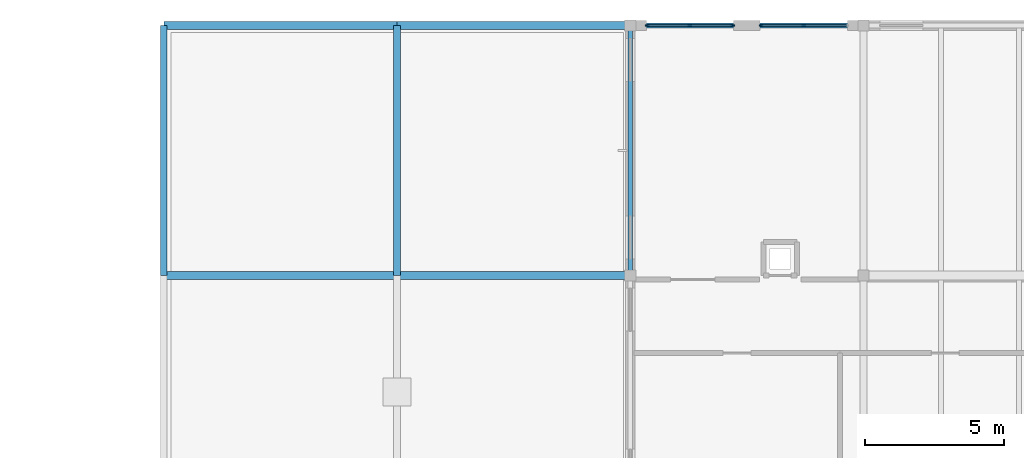
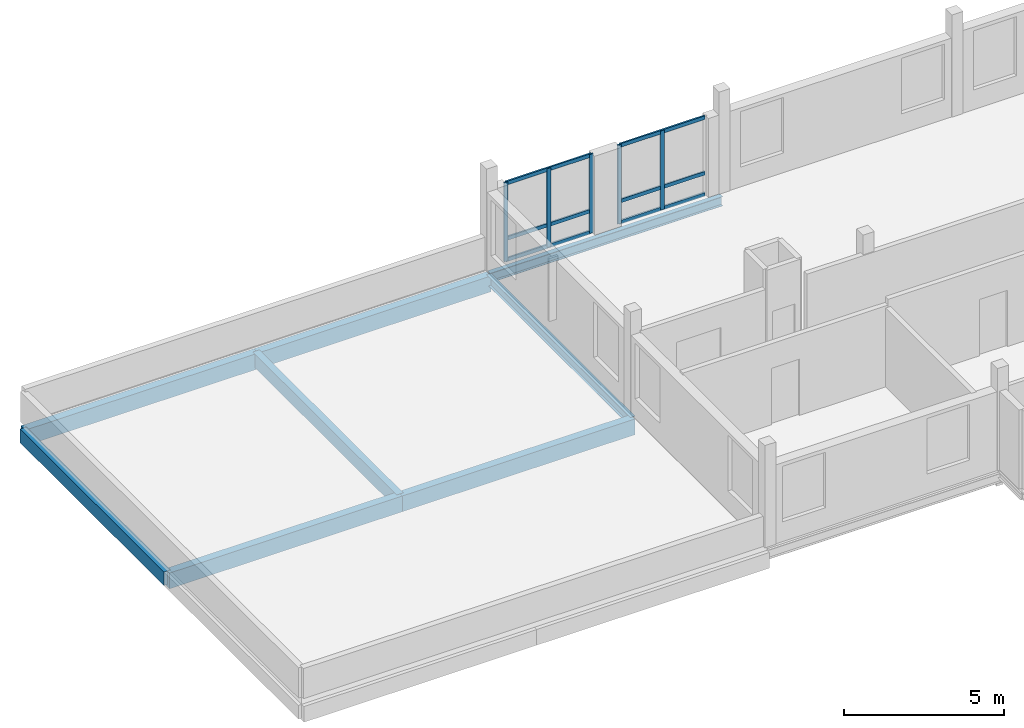
# One storey, part 17 of 57: 11 members, 8 beams, 2 elements without a shape of their own.
"""IFC4 building model written with IfcOpenShell, lengths in metres."""

from ifc_helpers import new_model, si_unit, direction, frame, origin, origin_2d, place, context, subcontext, project, spatial, rectangle, i_section, extrude, material, material_profile, profile_set, type_object, element, aggregate, save


model = new_model("IFC4")

# Units and contexts
model_context = context("Model", 3, precision=1e-05, world=origin(), true_north=direction((0.0, 1.0)))
body_context = subcontext(model_context, "Body", "Model", "MODEL_VIEW")
ifc_project = project(units=[si_unit("LENGTHUNIT", "METRE"), si_unit("AREAUNIT", "SQUARE_METRE"), si_unit("VOLUMEUNIT", "CUBIC_METRE"), si_unit("PLANEANGLEUNIT", "RADIAN"), si_unit("MASSUNIT", "GRAM", prefix="KILO")], contexts=[model_context])

# Site, building, storey
site_placement = place(None, origin())
site = spatial("IfcSite", under=ifc_project, at=site_placement, CompositionType="ELEMENT")
building_placement = place(site_placement, origin())
building = spatial("IfcBuilding", under=site, at=building_placement, Name="Kahlenmark Community Centre", CompositionType="ELEMENT")
storey_placement = place(building_placement, frame((0.0, 0.0, 13.800048828125)))
storey = spatial("IfcBuildingStorey", under=building, at=storey_placement, Name="L03", CompositionType="ELEMENT", Elevation=13.800048828125)

# Beams
ifc_material_1 = material(Name="Glulam GL32h", Category="wood")
ifc_material_profile_1 = material_profile(ifc_material_1, rectangle(XDim=0.239990234375, YDim=0.52001953125, at=origin_2d()), Name="GL32h 240x520")
ifc_profile_set_1 = profile_set([ifc_material_profile_1], Name="Glulam GL32h")
beam_type_1 = type_object("IfcBeamType", Name="BT-BEAM-GL32h240x520", PredefinedType="BEAM", material=ifc_profile_set_1)
for number, where, z_axis, x_axis, name in (
    (1, (12.39990234375, 106.0, -0.5400390625), (0.0, 1.0, 0.0), (-1.0, 0.0, 0.0), "L03 beam BG-RF520"),
    (2, (20.800048828125, 106.0, -0.5400390625), (0.0, 1.0, 0.0), (-1.0, 0.0, 0.0), "L03 beam BG-RF520"),
):
    element("IfcBeam", number, at=place(storey_placement, frame(where, z_axis=z_axis, x_axis=x_axis)), inside=storey, type_object=beam_type_1, Name=name, PredefinedType="BEAM", context=body_context, shape_type="SweptSolid", body=[
        extrude(rectangle(XDim=0.239990234375, YDim=0.52001953125, at=origin_2d()), origin(), (0.0, 0.0, 1.0), 9.0),
    ])
ifc_material_profile_2 = material_profile(ifc_material_1, rectangle(XDim=0.280029296875, YDim=0.60009765625, at=origin_2d()), Name="GL32h 280x600")
ifc_profile_set_2 = profile_set([ifc_material_profile_2], Name="Glulam GL32h")
beam_type_2 = type_object("IfcBeamType", Name="BT-BEAM-GL32h280x600", PredefinedType="BEAM", material=ifc_profile_set_2)
beam_1_placement = place(storey_placement, frame((12.39990234375, 106.0, -0.580078125), z_axis=(1.0, 0.0, 0.0), x_axis=(0.0, 1.0, 0.0)))
element("IfcBeam", 3, at=beam_1_placement, inside=storey, type_object=beam_type_2, Name="L03 beam BG-RF600", PredefinedType="BEAM", context=body_context, shape_type="SweptSolid", body=[
    extrude(rectangle(XDim=0.280029296875, YDim=0.60009765625, at=origin_2d()), origin(), (0.0, 0.0, 1.0), 8.400146484375),
])
beam_2_placement = place(storey_placement, frame((20.800048828125, 106.0, -0.580078125), z_axis=(1.0, 0.0, 0.0), x_axis=(0.0, 1.0, 0.0)))
element("IfcBeam", 4, at=beam_2_placement, inside=storey, type_object=beam_type_2, Name="L03 beam BG-RF600", PredefinedType="BEAM", context=body_context, shape_type="SweptSolid", body=[
    extrude(rectangle(XDim=0.280029296875, YDim=0.60009765625, at=origin_2d()), origin(), (0.0, 0.0, 1.0), 8.39990234375),
])
beam_3_placement = place(storey_placement, frame((12.39990234375, 115.0, -0.580078125), z_axis=(1.0, 0.0, 0.0), x_axis=(0.0, 1.0, 0.0)))
element("IfcBeam", 5, at=beam_3_placement, inside=storey, type_object=beam_type_2, Name="L03 beam BG-RF600", PredefinedType="BEAM", context=body_context, shape_type="SweptSolid", body=[
    extrude(rectangle(XDim=0.280029296875, YDim=0.60009765625, at=origin_2d()), origin(), (0.0, 0.0, 1.0), 8.400146484375),
])
beam_4_placement = place(storey_placement, frame((20.800048828125, 115.0, -0.580078125), z_axis=(1.0, 0.0, 0.0), x_axis=(0.0, 1.0, 0.0)))
element("IfcBeam", 6, at=beam_4_placement, inside=storey, type_object=beam_type_2, Name="L03 beam BG-RF600", PredefinedType="BEAM", context=body_context, shape_type="SweptSolid", body=[
    extrude(rectangle(XDim=0.280029296875, YDim=0.60009765625, at=origin_2d()), origin(), (0.0, 0.0, 1.0), 8.39990234375),
])
ifc_material_2 = material(Name="Steel S355", Category="steel")
ifc_material_profile_3 = material_profile(ifc_material_2, i_section(OverallWidth=0.169921875, OverallDepth=0.360107421875, WebThickness=0.008056640625, FlangeThickness=0.0126953125, at=origin_2d()), Name="IPE 360")
ifc_profile_set_3 = profile_set([ifc_material_profile_3], Name="Steel S355")
beam_type_3 = type_object("IfcBeamType", Name="BT-SPANDREL-IPE360", PredefinedType="SPANDREL", material=ifc_profile_set_3)
beam_5_placement = place(storey_placement, frame((29.199951171875, 115.0, -0.400146484375), z_axis=(1.0, 0.0, 0.0), x_axis=(0.0, 1.0, 0.0)))
element("IfcBeam", 7, at=beam_5_placement, inside=storey, type_object=beam_type_3, Name="L03 spandrel SP-IPE360", PredefinedType="SPANDREL", context=body_context, shape_type="SweptSolid", body=[
    extrude(i_section(OverallWidth=0.169921875, OverallDepth=0.360107421875, WebThickness=0.008056640625, FlangeThickness=0.0126953125, at=origin_2d()), origin(), (0.0, 0.0, 1.0), 8.400146484375),
])
beam_6_placement = place(storey_placement, frame((29.199951171875, 106.0, -0.4599609375), z_axis=(0.0, 1.0, 0.0), x_axis=(-1.0, 0.0, 0.0)))
element("IfcBeam", 8, at=beam_6_placement, inside=storey, type_object=beam_type_3, Name="L03 spandrel SP-IPE360", PredefinedType="SPANDREL", context=body_context, shape_type="SweptSolid", body=[
    extrude(i_section(OverallWidth=0.169921875, OverallDepth=0.360107421875, WebThickness=0.008056640625, FlangeThickness=0.0126953125, at=origin_2d()), origin(), (0.0, 0.0, 1.0), 9.0),
])

# Curtain wall, members
ifc_material_3 = material(Name="Anodised aluminium unitised curtain wall", Category="aluminium")
curtain_wall_type = type_object("IfcCurtainWallType", Name="CWT-UNIT-314X301", PredefinedType="USERDEFINED", material=ifc_material_3)
curtain_wall_1_placement = place(storey_placement, origin())
curtain_wall_1 = element("IfcCurtainWall", 9, at=curtain_wall_1_placement, inside=storey, type_object=curtain_wall_type, Name="Unitised curtain wall CW-119", ObjectType="UNITISED CURTAIN WALL", PredefinedType="USERDEFINED")
ifc_material_4 = material(Name="Anodised aluminium 6063-T6", Category="aluminium")
ifc_material_profile_4 = material_profile(ifc_material_4, rectangle(XDim=0.06005859375, YDim=0.139892578125, at=origin_2d()), Name="ALU MULLION 60x140")
ifc_profile_set_4 = profile_set([ifc_material_profile_4], Name="Anodised aluminium 6063-T6")
member_type_1 = type_object("IfcMemberType", Name="MT-MUL-140", PredefinedType="MULLION", material=ifc_profile_set_4)
member_1_placement = place(storey_placement, frame((35.449951171875, 115.0, 0.0), z_axis=(0.0, 0.0, 1.0), x_axis=(0.0, -1.0, 0.0)))
member_1 = element("IfcMember", 10, at=member_1_placement, type_object=member_type_1, Name="CW-119 mullion 2", PredefinedType="MULLION", context=body_context, shape_type="SweptSolid", body=[
    extrude(rectangle(XDim=0.06005859375, YDim=0.139892578125, at=origin_2d()), origin(), (0.0, 0.0, 1.0), 3.010009765625),
])
member_2_placement = place(storey_placement, frame((33.909912109375, 115.0, 0.0), z_axis=(0.0, 0.0, 1.0), x_axis=(0.0, -1.0, 0.0)))
member_2 = element("IfcMember", 11, at=member_2_placement, type_object=member_type_1, Name="CW-119 mullion 3", PredefinedType="MULLION", context=body_context, shape_type="SweptSolid", body=[
    extrude(rectangle(XDim=0.06005859375, YDim=0.139892578125, at=origin_2d()), origin(), (0.0, 0.0, 1.0), 3.010009765625),
])

curtain_wall_2_placement = place(storey_placement, origin())
curtain_wall_2 = element("IfcCurtainWall", 12, at=curtain_wall_2_placement, inside=storey, type_object=curtain_wall_type, Name="Unitised curtain wall CW-120", ObjectType="UNITISED CURTAIN WALL", PredefinedType="USERDEFINED")
member_3_placement = place(storey_placement, frame((32.889892578125, 115.0, 0.0), z_axis=(0.0, 0.0, 1.0), x_axis=(0.0, -1.0, 0.0)))
member_3 = element("IfcMember", 13, at=member_3_placement, type_object=member_type_1, Name="CW-120 mullion 1", PredefinedType="MULLION", context=body_context, shape_type="SweptSolid", body=[
    extrude(rectangle(XDim=0.06005859375, YDim=0.139892578125, at=origin_2d()), origin(), (0.0, 0.0, 1.0), 3.010009765625),
])
member_4_placement = place(storey_placement, frame((31.35009765625, 115.0, 0.0), z_axis=(0.0, 0.0, 1.0), x_axis=(0.0, -1.0, 0.0)))
member_4 = element("IfcMember", 14, at=member_4_placement, type_object=member_type_1, Name="CW-120 mullion 2", PredefinedType="MULLION", context=body_context, shape_type="SweptSolid", body=[
    extrude(rectangle(XDim=0.06005859375, YDim=0.139892578125, at=origin_2d()), origin(), (0.0, 0.0, 1.0), 3.010009765625),
])
member_5_placement = place(storey_placement, frame((29.81005859375, 115.0, 0.0), z_axis=(0.0, 0.0, 1.0), x_axis=(0.0, -1.0, 0.0)))
member_5 = element("IfcMember", 15, at=member_5_placement, type_object=member_type_1, Name="CW-120 mullion 3", PredefinedType="MULLION", context=body_context, shape_type="SweptSolid", body=[
    extrude(rectangle(XDim=0.06005859375, YDim=0.139892578125, at=origin_2d()), origin(), (0.0, 0.0, 1.0), 3.010009765625),
])

# Member
ifc_material_profile_5 = material_profile(ifc_material_4, rectangle(XDim=0.06005859375, YDim=0.139892578125, at=origin_2d()), Name="ALU TRANSOM 60x140")
ifc_profile_set_5 = profile_set([ifc_material_profile_5], Name="Anodised aluminium 6063-T6")
member_type_2 = type_object("IfcMemberType", Name="MT-TRN-140", PredefinedType="USERDEFINED", material=ifc_profile_set_5)
member_6_placement = place(storey_placement, frame((36.989990234375, 115.0, 0.0400390625), z_axis=(-1.0, 0.0, 0.0), x_axis=(0.0, -1.0, 0.0)))
member_6 = element("IfcMember", 16, at=member_6_placement, type_object=member_type_2, Name="CW-119 transom 1", ObjectType="TRANSOM", PredefinedType="USERDEFINED", context=body_context, shape_type="SweptSolid", body=[
    extrude(rectangle(XDim=0.06005859375, YDim=0.139892578125, at=origin_2d()), origin(), (0.0, 0.0, 1.0), 3.080078125),
])

member_7_placement = place(storey_placement, frame((36.989990234375, 115.0, 0.849853515625), z_axis=(-1.0, 0.0, 0.0), x_axis=(0.0, -1.0, 0.0)))
member_7 = element("IfcMember", 17, at=member_7_placement, type_object=member_type_2, Name="CW-119 transom 2", ObjectType="TRANSOM", PredefinedType="USERDEFINED", context=body_context, shape_type="SweptSolid", body=[
    extrude(rectangle(XDim=0.06005859375, YDim=0.139892578125, at=origin_2d()), origin(), (0.0, 0.0, 1.0), 3.080078125),
])

member_8_placement = place(storey_placement, frame((36.989990234375, 115.0, 2.969970703125), z_axis=(-1.0, 0.0, 0.0), x_axis=(0.0, -1.0, 0.0)))
member_8 = element("IfcMember", 18, at=member_8_placement, type_object=member_type_2, Name="CW-119 transom 3", ObjectType="TRANSOM", PredefinedType="USERDEFINED", context=body_context, shape_type="SweptSolid", body=[
    extrude(rectangle(XDim=0.06005859375, YDim=0.139892578125, at=origin_2d()), origin(), (0.0, 0.0, 1.0), 3.080078125),
])

aggregate(curtain_wall_1, [member_1, member_2, member_6, member_7, member_8])

member_9_placement = place(storey_placement, frame((32.889892578125, 115.0, 0.0400390625), z_axis=(-1.0, 0.0, 0.0), x_axis=(0.0, -1.0, 0.0)))
member_9 = element("IfcMember", 19, at=member_9_placement, type_object=member_type_2, Name="CW-120 transom 1", ObjectType="TRANSOM", PredefinedType="USERDEFINED", context=body_context, shape_type="SweptSolid", body=[
    extrude(rectangle(XDim=0.06005859375, YDim=0.139892578125, at=origin_2d()), origin(), (0.0, 0.0, 1.0), 3.079833984375),
])

member_10_placement = place(storey_placement, frame((32.889892578125, 115.0, 0.849853515625), z_axis=(-1.0, 0.0, 0.0), x_axis=(0.0, -1.0, 0.0)))
member_10 = element("IfcMember", 20, at=member_10_placement, type_object=member_type_2, Name="CW-120 transom 2", ObjectType="TRANSOM", PredefinedType="USERDEFINED", context=body_context, shape_type="SweptSolid", body=[
    extrude(rectangle(XDim=0.06005859375, YDim=0.139892578125, at=origin_2d()), origin(), (0.0, 0.0, 1.0), 3.079833984375),
])

member_11_placement = place(storey_placement, frame((32.889892578125, 115.0, 2.969970703125), z_axis=(-1.0, 0.0, 0.0), x_axis=(0.0, -1.0, 0.0)))
member_11 = element("IfcMember", 21, at=member_11_placement, type_object=member_type_2, Name="CW-120 transom 3", ObjectType="TRANSOM", PredefinedType="USERDEFINED", context=body_context, shape_type="SweptSolid", body=[
    extrude(rectangle(XDim=0.06005859375, YDim=0.139892578125, at=origin_2d()), origin(), (0.0, 0.0, 1.0), 3.079833984375),
])

aggregate(curtain_wall_2, [member_3, member_4, member_5, member_9, member_10, member_11])

save(model, "model.ifc")
